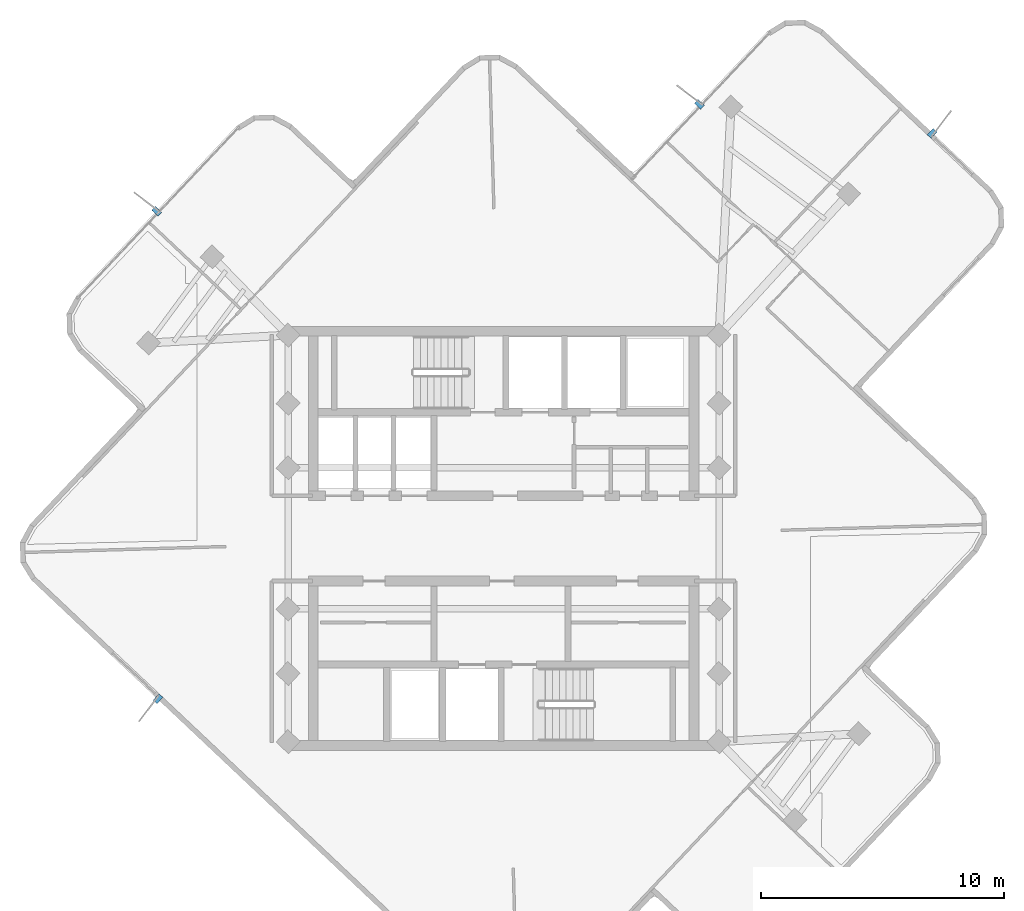
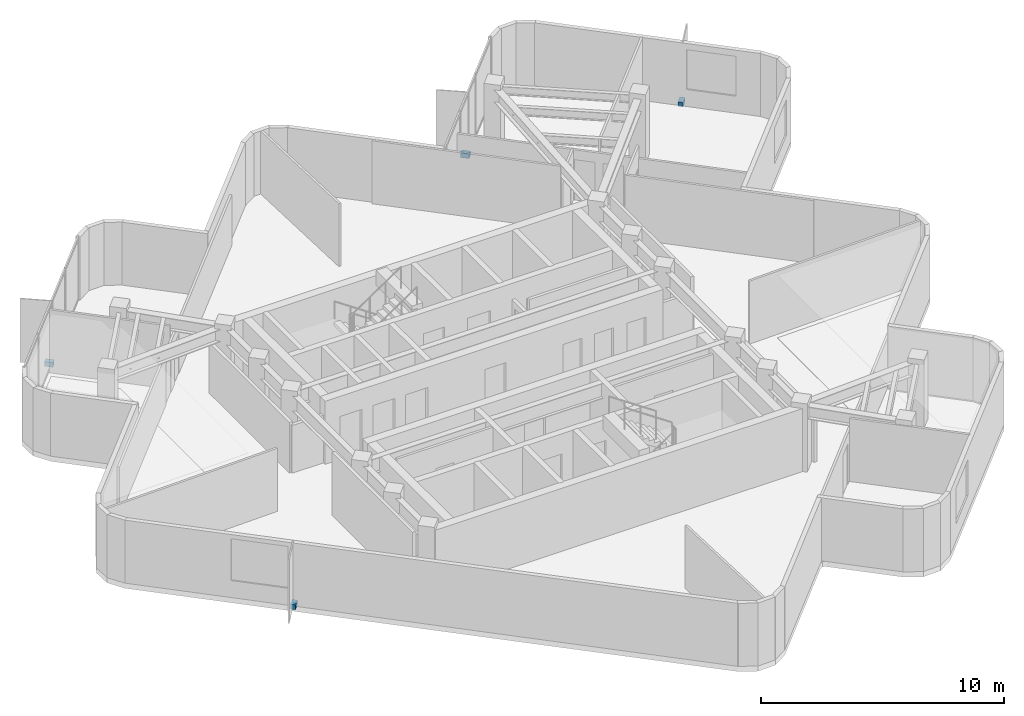
# One storey, part 8 of 10: 4 discrete accessories.
"""IFC4 building model written with IfcOpenShell, lengths in metres."""

from ifc_helpers import new_model, si_unit, direction, frame, origin, origin_2d, place, context, subcontext, project, spatial, rectangle, extrude, material, type_object, element, save


model = new_model("IFC4")

# Units and contexts
model_context = context("Model", 3, precision=1e-05, world=origin(), true_north=direction((0.0, 1.0)))
body_context = subcontext(model_context, "Body", "Model", "MODEL_VIEW")
ifc_project = project(units=[si_unit("LENGTHUNIT", "METRE"), si_unit("AREAUNIT", "SQUARE_METRE"), si_unit("VOLUMEUNIT", "CUBIC_METRE"), si_unit("PLANEANGLEUNIT", "RADIAN"), si_unit("MASSUNIT", "GRAM", prefix="KILO")], contexts=[model_context])

# Site, building, storey
site_placement = place(None, origin())
site = spatial("IfcSite", under=ifc_project, at=site_placement, CompositionType="ELEMENT")
building_placement = place(site_placement, origin())
building = spatial("IfcBuilding", under=site, at=building_placement, Name="Solmarez Civic Tower", CompositionType="ELEMENT")
storey_placement = place(building_placement, frame((0.0, 0.0, 247.5)))
storey = spatial("IfcBuildingStorey", under=building, at=storey_placement, Name="L66", CompositionType="ELEMENT", Elevation=247.5)

# Discrete accessories
ifc_material = material(Name="Stainless Steel Grade 1.4401", Category="steel")
discrete_accessory_type = type_object("IfcDiscreteAccessoryType", Name="BRACKET-SS-FIN", PredefinedType="BRACKET", material=ifc_material)
for number, where, z_axis, x_axis, name in (
    (1, (-14.195068359375, -6.5859375, -0.06005859375), (0.0, 0.0, 1.0), (-0.686067233286, -0.7275381443, 0.0), "L66 Stainless Fin Support Bracket FIN-L66-01"),
    (2, (-14.2451171875, 13.43310546875, -0.06005859375), (0.0, 0.0, 1.0), (-0.727537266272, 0.686068164387, 0.0), "L66 Stainless Fin Support Bracket FIN-L66-02"),
    (3, (8.0439453125, 17.830078125, -0.06005859375), (0.0, 0.0, 1.0), (-0.727452681323, 0.686157850962, 0.0), "L66 Stainless Fin Support Bracket FIN-L66-03"),
    (4, (17.60400390625, 16.635009765625, -0.06005859375), (0.0, 0.0, 1.0), (0.686123448188, 0.72748512964, 0.0), "L66 Stainless Fin Support Bracket FIN-L66-04"),
):
    element("IfcDiscreteAccessory", number, at=place(storey_placement, frame(where, z_axis=z_axis, x_axis=x_axis)), inside=storey, type_object=discrete_accessory_type, Name=name, PredefinedType="BRACKET", context=body_context, shape_type="SweptSolid", body=[
        extrude(rectangle(XDim=0.360107421875, YDim=0.219970703125, at=origin_2d()), origin(), (0.0, 0.0, 1.0), 0.239990234375),
    ])

save(model, "model.ifc")
